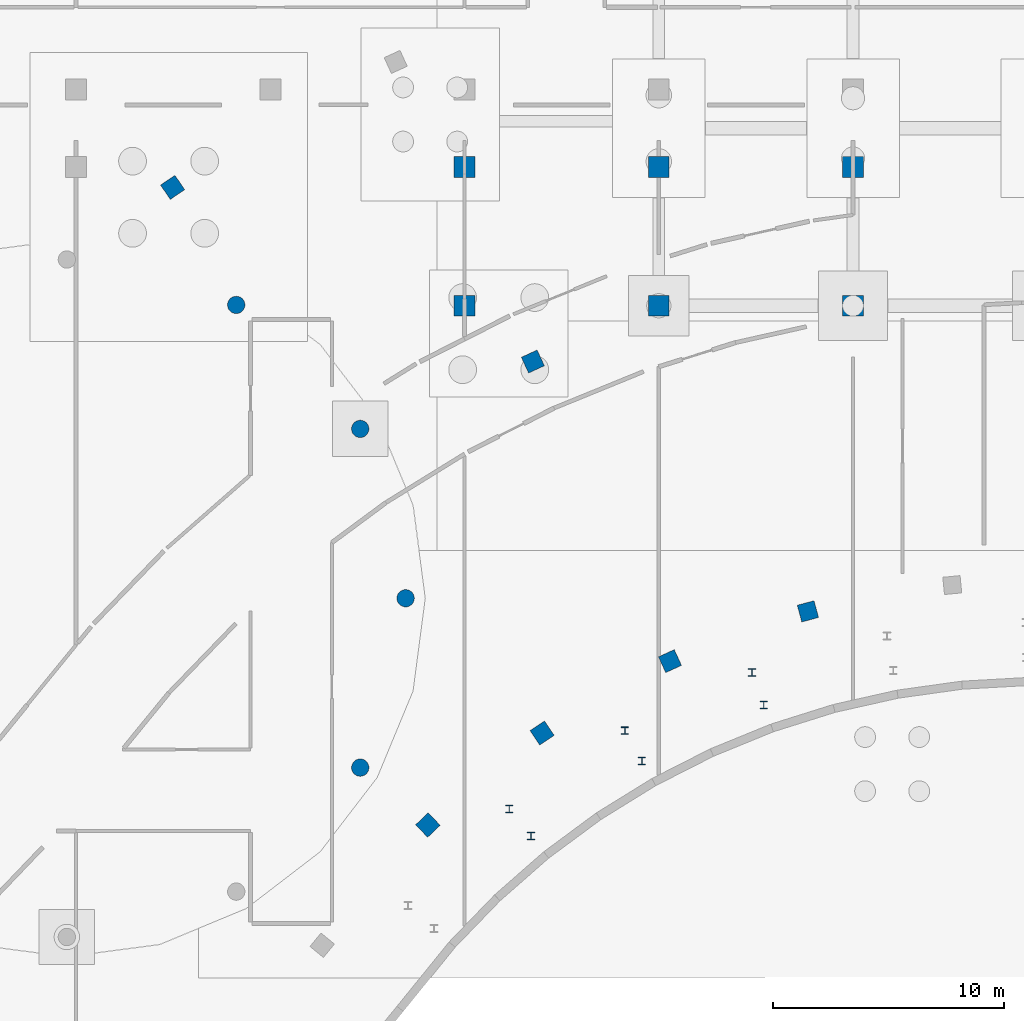
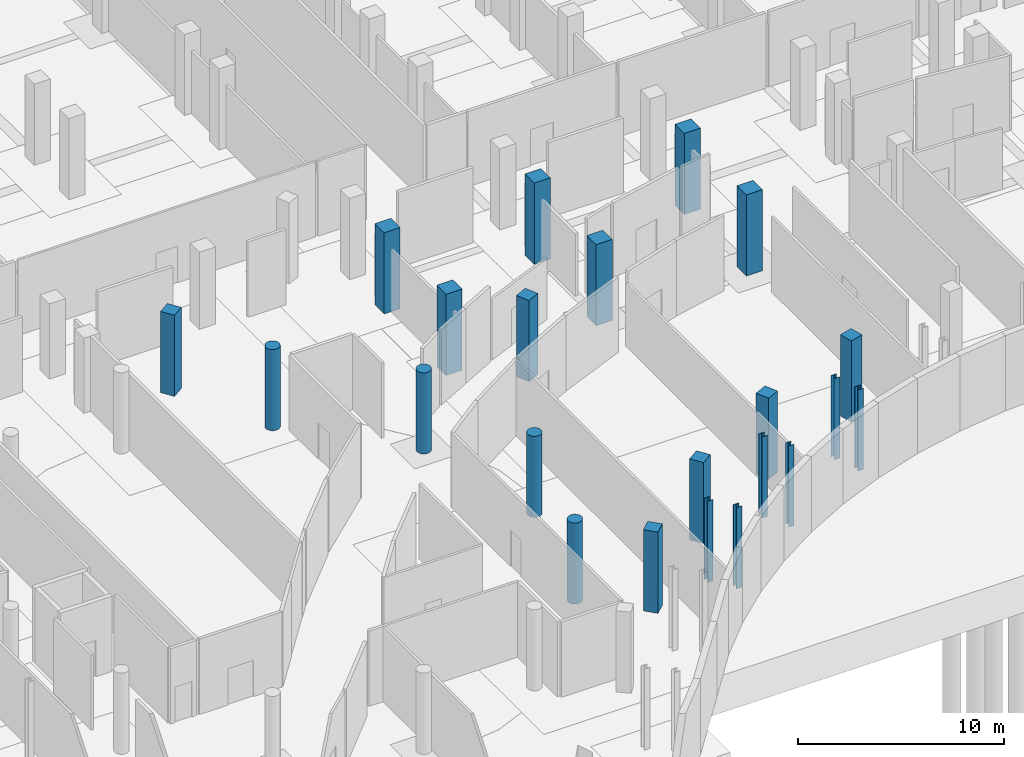
# One storey, part 16 of 45: 22 columns.
"""IFC4 building model written with IfcOpenShell, lengths in metres."""

from ifc_helpers import new_model, si_unit, direction, frame, origin, origin_2d, place, context, subcontext, project, spatial, rectangle, circle, i_section, extrude, material, material_profile, profile_set, type_object, element, save


model = new_model("IFC4")

# Units and contexts
model_context = context("Model", 3, precision=1e-05, world=origin(), true_north=direction((0.0, 1.0)))
body_context = subcontext(model_context, "Body", "Model", "MODEL_VIEW")
ifc_project = project(units=[si_unit("LENGTHUNIT", "METRE"), si_unit("AREAUNIT", "SQUARE_METRE"), si_unit("VOLUMEUNIT", "CUBIC_METRE"), si_unit("PLANEANGLEUNIT", "RADIAN"), si_unit("MASSUNIT", "GRAM", prefix="KILO")], contexts=[model_context])

# Site, building, storey
site_placement = place(None, origin())
site = spatial("IfcSite", under=ifc_project, at=site_placement, CompositionType="ELEMENT")
building_placement = place(site_placement, origin())
building = spatial("IfcBuilding", under=site, at=building_placement, Name="Selatvlak General Hospital", CompositionType="ELEMENT")
storey_placement = place(building_placement, frame((0.0, 0.0, -4.800048828125)))
storey = spatial("IfcBuildingStorey", under=building, at=storey_placement, Name="B1", CompositionType="ELEMENT", Elevation=-4.800048828125)

# Columns
ifc_material_1 = material(Name="Concrete C50/60", Category="concrete")
ifc_material_profile_1 = material_profile(ifc_material_1, rectangle(XDim=0.75, YDim=0.75, at=origin_2d()), Name="RC-COL 750x750")
ifc_profile_set_1 = profile_set([ifc_material_profile_1], Name="Concrete C50/60")
column_type_1 = type_object("IfcColumnType", Name="COL-RC75", PredefinedType="COLUMN", material=ifc_profile_set_1)
for number, where, z_axis, x_axis, name in (
    (1, (113.614990234375, 44.19189453125, 0.0), (0.0, 0.0, 1.0), (-0.689872285383, 0.723931094691, 0.0), "Column 339 on B1"),
    (2, (102.572998046875, 71.77001953125, 0.0), (0.0, 0.0, 1.0), (-0.560725705765, 0.828001620104, 0.0), "Column 340 on B1"),
    (3, (118.552978515625, 48.172119140625, 0.0), (0.0, 0.0, 1.0), (-0.560725705765, 0.828001620104, 0.0), "Column 341 on B1"),
    (4, (118.153076171875, 64.238037109375, 0.0), (0.0, 0.0, 1.0), (-0.416201444857, 0.909272432937, 0.0), "Column 343 on B1"),
    (5, (124.083984375, 51.281005859375, 0.0), (0.0, 0.0, 1.0), (-0.416201444857, 0.909272432937, 0.0), "Column 344 on B1"),
    (6, (130.049072265625, 53.43310546875, 0.0), (0.0, 0.0, 1.0), (-0.260066364254, 0.965590744666, 0.0), "Column 345 on B1"),
):
    element("IfcColumn", number, at=place(storey_placement, frame(where, z_axis=z_axis, x_axis=x_axis)), inside=storey, type_object=column_type_1, Name=name, PredefinedType="COLUMN", context=body_context, shape_type="SweptSolid", body=[
        extrude(rectangle(XDim=0.75, YDim=0.75, at=origin_2d()), origin(), (0.0, 0.0, 1.0), 4.800048828125),
    ])
ifc_material_profile_2 = material_profile(ifc_material_1, rectangle(XDim=0.89990234375, YDim=0.89990234375, at=origin_2d()), Name="RC-COL 900x900")
ifc_profile_set_2 = profile_set([ifc_material_profile_2], Name="Concrete C50/60")
column_type_2 = type_object("IfcColumnType", Name="COL-RC90", PredefinedType="COLUMN", material=ifc_profile_set_2)
for number, where, z_axis, x_axis, name in (
    (7, (115.199951171875, 66.64990234375, 0.0), (0.0, 0.0, 1.0), (1.0, 0.0, 0.0), "Column 229 on B1"),
    (8, (115.199951171875, 72.64990234375, 0.0), (0.0, 0.0, 1.0), (1.0, 0.0, 0.0), "Column 230 on B1"),
    (9, (123.60009765625, 66.64990234375, 0.0), (0.0, 0.0, 1.0), (1.0, 0.0, 0.0), "Column 236 on B1"),
    (10, (123.60009765625, 72.64990234375, 0.0), (0.0, 0.0, 1.0), (1.0, 0.0, 0.0), "Column 237 on B1"),
    (11, (132.0, 66.64990234375, 0.0), (0.0, 0.0, 1.0), (1.0, 0.0, 0.0), "Column 246 on B1"),
    (12, (132.0, 72.64990234375, 0.0), (0.0, 0.0, 1.0), (1.0, 0.0, 0.0), "Column 247 on B1"),
):
    element("IfcColumn", number, at=place(storey_placement, frame(where, z_axis=z_axis, x_axis=x_axis)), inside=storey, type_object=column_type_2, Name=name, PredefinedType="COLUMN", context=body_context, shape_type="SweptSolid", body=[
        extrude(rectangle(XDim=0.89990234375, YDim=0.89990234375, at=origin_2d()), origin(), (0.0, 0.0, 1.0), 4.800048828125),
    ])
ifc_material_profile_3 = material_profile(ifc_material_1, circle(Radius=0.375, at=origin_2d()), Name="RC-COL D750")
ifc_profile_set_3 = profile_set([ifc_material_profile_3], Name="Concrete C50/60")
column_type_3 = type_object("IfcColumnType", Name="COL-RCD75", PredefinedType="COLUMN", material=ifc_profile_set_3)
for number, where, z_axis, x_axis, name in (
    (13, (112.64990234375, 54.0, 0.0), (0.0, 0.0, 1.0), (1.0, 0.0, 0.0), "Column 025 on B1"),
    (14, (110.68701171875, 61.324951171875, 0.0), (0.0, 0.0, 1.0), (0.866025403784, 0.5, 0.0), "Column 026 on B1"),
    (15, (105.324951171875, 66.68701171875, 0.0), (0.0, 0.0, 1.0), (0.5, 0.866025403784, 0.0), "Column 027 on B1"),
    (16, (110.68701171875, 46.675048828125, 0.0), (0.0, 0.0, 1.0), (0.866025403784, -0.5, 0.0), "Column 036 on B1"),
):
    element("IfcColumn", number, at=place(storey_placement, frame(where, z_axis=z_axis, x_axis=x_axis)), inside=storey, type_object=column_type_3, Name=name, PredefinedType="COLUMN", context=body_context, shape_type="SweptSolid", body=[
        extrude(circle(Radius=0.375, at=origin_2d()), origin(), (0.0, 0.0, 1.0), 4.800048828125),
    ])
ifc_material_2 = material(Name="Steel S355", Category="steel")
ifc_material_profile_4 = material_profile(ifc_material_2, i_section(OverallWidth=0.30908203125, OverallDepth=0.320556640625, WebThickness=0.013916015625, FlangeThickness=0.021728515625, at=origin_2d()), Name="UC 305x305x137")
ifc_profile_set_4 = profile_set([ifc_material_profile_4], Name="Steel S355")
column_type_4 = type_object("IfcColumnType", Name="COL-UC305", PredefinedType="COLUMN", material=ifc_profile_set_4)
for number, where, z_axis, x_axis, name in (
    (17, (117.131103515625, 44.882080078125, 0.0), (0.0, 0.0, 1.0), (1.0, 0.0, 0.0), "Column 131 on B1"),
    (18, (118.072021484375, 43.714111328125, 0.0), (0.0, 0.0, 1.0), (1.0, 0.0, 0.0), "Column 132 on B1"),
    (19, (122.135009765625, 48.27197265625, 0.0), (0.0, 0.0, 1.0), (1.0, 0.0, 0.0), "Column 133 on B1"),
    (20, (122.8701171875, 46.964111328125, 0.0), (0.0, 0.0, 1.0), (1.0, 0.0, 0.0), "Column 134 on B1"),
    (21, (127.633056640625, 50.7880859375, 0.0), (0.0, 0.0, 1.0), (1.0, 0.0, 0.0), "Column 135 on B1"),
    (22, (128.14208984375, 49.376953125, 0.0), (0.0, 0.0, 1.0), (1.0, 0.0, 0.0), "Column 136 on B1"),
):
    element("IfcColumn", number, at=place(storey_placement, frame(where, z_axis=z_axis, x_axis=x_axis)), inside=storey, type_object=column_type_4, Name=name, PredefinedType="COLUMN", context=body_context, shape_type="SweptSolid", body=[
        extrude(i_section(OverallWidth=0.30908203125, OverallDepth=0.320556640625, WebThickness=0.013916015625, FlangeThickness=0.021728515625, at=origin_2d()), origin(), (0.0, 0.0, 1.0), 4.800048828125),
    ])

save(model, "model.ifc")
